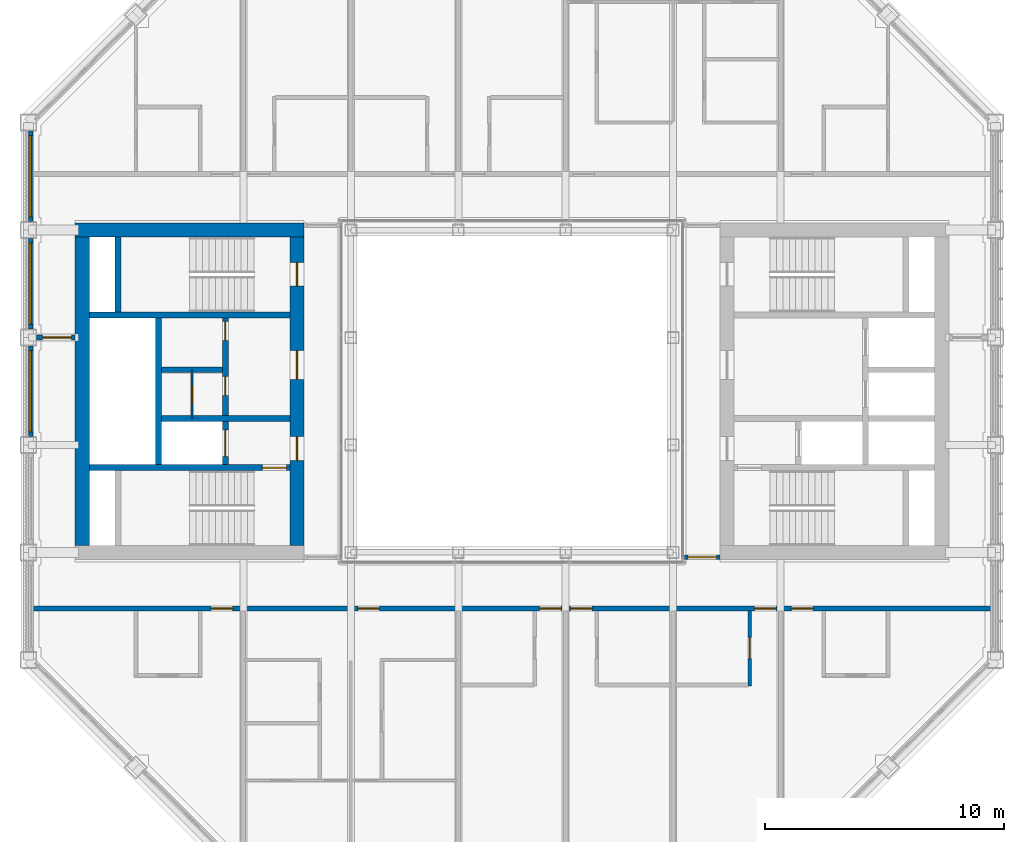
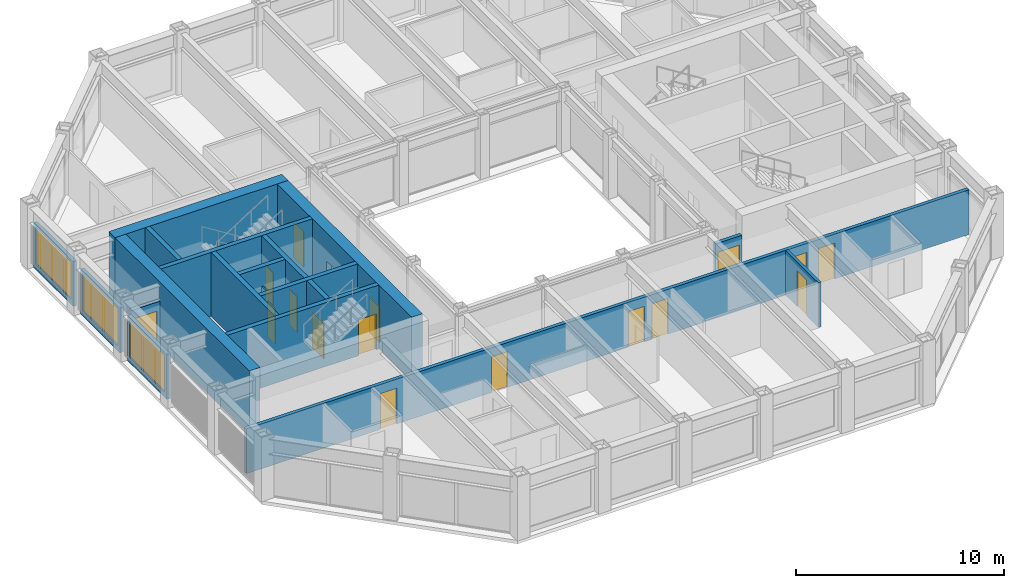
# One storey, part 10 of 18: 18 walls, 17 doors, 3 windows, 20 openings.
"""IFC4 building model written with IfcOpenShell, lengths in metres."""

from ifc_helpers import new_model, si_unit, direction, frame, frame_2d, origin, place, context, subcontext, project, spatial, rectangle, extrude, material, layer, layer_set, type_object, element, fill, save


model = new_model("IFC4")

# Units and contexts
model_context = context("Model", 3, precision=1e-05, world=origin(), true_north=direction((0.0, 1.0)))
body_context = subcontext(model_context, "Body", "Model", "MODEL_VIEW")
ifc_project = project(units=[si_unit("LENGTHUNIT", "METRE"), si_unit("AREAUNIT", "SQUARE_METRE"), si_unit("VOLUMEUNIT", "CUBIC_METRE"), si_unit("PLANEANGLEUNIT", "RADIAN"), si_unit("MASSUNIT", "GRAM", prefix="KILO")], contexts=[model_context])

# Site, building, storey
site_placement = place(None, origin())
site = spatial("IfcSite", under=ifc_project, at=site_placement, CompositionType="ELEMENT")
building_placement = place(site_placement, origin())
building = spatial("IfcBuilding", under=site, at=building_placement, Name="Msasa Ring Tower", CompositionType="ELEMENT")
storey_placement = place(building_placement, frame((0.0, 0.0, 230.800048828125)))
storey = spatial("IfcBuildingStorey", under=building, at=storey_placement, Name="L60", CompositionType="ELEMENT", Elevation=230.800048828125)

# Wall
ifc_material_1 = material(Name="Concrete C60/75", Category="concrete")
ifc_layer_1 = layer(ifc_material_1, 0.60009765625)
ifc_layer_set_1 = layer_set([ifc_layer_1], Name="CW3 CORE WALL 600")
wall_type_1 = type_object("IfcWallType", Name="CW3 CORE WALL 600", PredefinedType="SHEAR", material=ifc_layer_set_1)
wall_1_placement = place(storey_placement, frame((-8.699951171875, 6.75, 0.0), z_axis=(0.0, 0.0, 1.0), x_axis=(-1.0, 0.0, 0.0)))
element("IfcWall", 1, at=wall_1_placement, inside=storey, type_object=wall_type_1, Name="W core wall N L60", PredefinedType="SHEAR", context=body_context, shape_type="SweptSolid", body=[
    extrude(rectangle(XDim=9.60009765625, YDim=0.60009765625, at=frame_2d((4.800048828125, 0.0))), origin(), (0.0, 0.0, 1.0), 3.75),
])

# Wall, openings, doors
wall_2_placement = place(storey_placement, frame((-9.0, -6.449951171875, 0.0), z_axis=(0.0, 0.0, 1.0), x_axis=(0.0, 1.0, 0.0)))
wall_2 = element("IfcWall", 2, at=wall_2_placement, inside=storey, type_object=wall_type_1, Name="W core wall W L60", PredefinedType="SHEAR", context=body_context, shape_type="SweptSolid", body=[
    extrude(rectangle(XDim=12.89990234375, YDim=0.60009765625, at=frame_2d((6.449951171875, 0.0))), origin(), (0.0, 0.0, 1.0), 3.75),
])
opening_1_placement = place(wall_2_placement, frame((3.550048828125, 0.0, 0.0)))
opening_1 = element("IfcOpeningElement", 3, at=opening_1_placement, cuts=wall_2, Name="Opening SC-030", PredefinedType="OPENING", context=body_context, shape_type="SweptSolid", body=[
    extrude(rectangle(XDim=1.0, YDim=2.10009765625, at=frame_2d((0.5, 1.050048828125))), frame((0.0, 0.31005859375, 0.0), z_axis=(0.0, -1.0, 0.0), x_axis=(1.0, 0.0, 0.0)), (0.0, 0.0, 1.0), 0.6201171875),
])
opening_2_placement = place(wall_2_placement, frame((6.949951171875, 0.0, 0.0)))
opening_2 = element("IfcOpeningElement", 4, at=opening_2_placement, cuts=wall_2, Name="Opening SC-026", PredefinedType="OPENING", context=body_context, shape_type="SweptSolid", body=[
    extrude(rectangle(XDim=1.199951171875, YDim=2.10009765625, at=frame_2d((0.60009765625, 1.050048828125))), frame((0.0, 0.31005859375, 0.0), z_axis=(0.0, -1.0, 0.0), x_axis=(1.0, 0.0, 0.0)), (0.0, 0.0, 1.0), 0.6201171875),
])
opening_3_placement = place(wall_2_placement, frame((10.85009765625, 0.0, 0.0)))
opening_3 = element("IfcOpeningElement", 5, at=opening_3_placement, cuts=wall_2, Name="Opening SC-021", PredefinedType="OPENING", context=body_context, shape_type="SweptSolid", body=[
    extrude(rectangle(XDim=1.0, YDim=2.10009765625, at=frame_2d((0.5, 1.050048828125))), frame((0.0, 0.31005859375, 0.0), z_axis=(0.0, -1.0, 0.0), x_axis=(1.0, 0.0, 0.0)), (0.0, 0.0, 1.0), 0.6201171875),
])
ifc_material_2 = material(Name="Timber door leaf in a steel frame", Category="steel")
door_type_1 = type_object("IfcDoorType", Name="D26 WIDE SERVICE ROOM DOOR 1200x2100", OperationType="SINGLE_SWING_LEFT", PredefinedType="DOOR", material=ifc_material_2)
door_1_placement = place(opening_2_placement, origin())
door_1 = element("IfcDoor", 6, at=door_1_placement, inside=storey, type_object=door_type_1, Name="Door L60-WCR", OperationType="SINGLE_SWING_RIGHT", OverallHeight=2.10009765625, OverallWidth=1.199951171875, PredefinedType="DOOR", context=body_context, shape_type="SweptSolid", body=[
    extrude(rectangle(XDim=1.199951171875, YDim=2.10009765625, at=frame_2d((0.60009765625, 1.050048828125))), frame((0.0, 0.02490234375, 0.0), z_axis=(0.0, -1.0, 0.0), x_axis=(1.0, 0.0, 0.0)), (0.0, 0.0, 1.0), 0.050048828125),
])
fill(opening_2, door_1)
ifc_material_3 = material(Name="Timber door leaf in a steel frame", Category="steel")
door_type_2 = type_object("IfcDoorType", Name="D4 LOBBY DOOR 1000x2100", OperationType="SINGLE_SWING_LEFT", PredefinedType="DOOR", material=ifc_material_3)
door_2_placement = place(opening_1_placement, origin())
door_2 = element("IfcDoor", 7, at=door_2_placement, inside=storey, type_object=door_type_2, Name="Door L60-WFFL", OperationType="SINGLE_SWING_LEFT", OverallHeight=2.10009765625, OverallWidth=1.0, PredefinedType="DOOR", context=body_context, shape_type="SweptSolid", body=[
    extrude(rectangle(XDim=1.0, YDim=2.10009765625, at=frame_2d((0.5, 1.050048828125))), frame((0.0, 0.02490234375, 0.0), z_axis=(0.0, -1.0, 0.0), x_axis=(1.0, 0.0, 0.0)), (0.0, 0.0, 1.0), 0.050048828125),
])
fill(opening_1, door_2)
ifc_material_4 = material(Name="Timber door leaf in a steel frame", Category="steel")
door_type_3 = type_object("IfcDoorType", Name="D6 STAIR DOOR 1000x2100", OperationType="SINGLE_SWING_LEFT", PredefinedType="DOOR", material=ifc_material_4)
door_3_placement = place(opening_3_placement, origin())
door_3 = element("IfcDoor", 8, at=door_3_placement, inside=storey, type_object=door_type_3, Name="Door L60-WSTB", OperationType="SINGLE_SWING_RIGHT", OverallHeight=2.10009765625, OverallWidth=1.0, PredefinedType="DOOR", context=body_context, shape_type="SweptSolid", body=[
    extrude(rectangle(XDim=1.0, YDim=2.10009765625, at=frame_2d((0.5, 1.050048828125))), frame((0.0, 0.02490234375, 0.0), z_axis=(0.0, -1.0, 0.0), x_axis=(1.0, 0.0, 0.0)), (0.0, 0.0, 1.0), 0.050048828125),
])
fill(opening_3, door_3)

# Wall
wall_3_placement = place(storey_placement, frame((-18.0, -6.449951171875, 0.0), z_axis=(0.0, 0.0, 1.0), x_axis=(0.0, 1.0, 0.0)))
element("IfcWall", 9, at=wall_3_placement, inside=storey, type_object=wall_type_1, Name="W core wall E L60", PredefinedType="SHEAR", context=body_context, shape_type="SweptSolid", body=[
    extrude(rectangle(XDim=12.89990234375, YDim=0.60009765625, at=frame_2d((6.449951171875, 0.0))), origin(), (0.0, 0.0, 1.0), 3.75),
])

# Wall, opening, door
ifc_material_5 = material(Name="Concrete C60/75", Category="concrete")
ifc_layer_2 = layer(ifc_material_5, 0.25)
ifc_layer_set_2 = layer_set([ifc_layer_2], Name="CW4 CORE INNER WALL 250")
wall_type_2 = type_object("IfcWallType", Name="CW4 CORE INNER WALL 250", PredefinedType="SHEAR", material=ifc_layer_set_2)
wall_4_placement = place(storey_placement, frame((-9.300048828125, -3.199951171875, 0.0), z_axis=(0.0, 0.0, 1.0), x_axis=(-1.0, 0.0, 0.0)))
wall_4 = element("IfcWall", 10, at=wall_4_placement, inside=storey, type_object=wall_type_2, Name="W core wall STAIRA L60", PredefinedType="SHEAR", context=body_context, shape_type="SweptSolid", body=[
    extrude(rectangle(XDim=8.39990234375, YDim=0.25, at=frame_2d((4.199951171875, 0.0))), origin(), (0.0, 0.0, 1.0), 3.75),
])
opening_4_placement = place(wall_4_placement, frame((0.14990234375, 0.0, 0.0)))
opening_4 = element("IfcOpeningElement", 11, at=opening_4_placement, cuts=wall_4, Name="Opening SC-032", PredefinedType="OPENING", context=body_context, shape_type="SweptSolid", body=[
    extrude(rectangle(XDim=1.0, YDim=2.10009765625, at=frame_2d((0.5, 1.050048828125))), frame((0.0, 0.135009765625, 0.0), z_axis=(0.0, -1.0, 0.0), x_axis=(1.0, 0.0, 0.0)), (0.0, 0.0, 1.0), 0.27001953125),
])
door_4_placement = place(opening_4_placement, origin())
door_4 = element("IfcDoor", 12, at=door_4_placement, inside=storey, type_object=door_type_3, Name="Door L60-WSTA", OperationType="SINGLE_SWING_LEFT", OverallHeight=2.10009765625, OverallWidth=1.0, PredefinedType="DOOR", context=body_context, shape_type="SweptSolid", body=[
    extrude(rectangle(XDim=1.0, YDim=2.10009765625, at=frame_2d((0.5, 1.050048828125))), frame((0.0, 0.02490234375, 0.0), z_axis=(0.0, -1.0, 0.0), x_axis=(1.0, 0.0, 0.0)), (0.0, 0.0, 1.0), 0.050048828125),
])
fill(opening_4, door_4)

# Walls
wall_5_placement = place(storey_placement, frame((-9.300048828125, 3.199951171875, 0.0), z_axis=(0.0, 0.0, 1.0), x_axis=(-1.0, 0.0, 0.0)))
element("IfcWall", 13, at=wall_5_placement, inside=storey, type_object=wall_type_2, Name="W core wall STAIRB L60", PredefinedType="SHEAR", context=body_context, shape_type="SweptSolid", body=[
    extrude(rectangle(XDim=8.39990234375, YDim=0.25, at=frame_2d((4.199951171875, 0.0))), origin(), (0.0, 0.0, 1.0), 3.75),
])
wall_6_placement = place(storey_placement, frame((-16.5, 3.324951171875, 0.0), z_axis=(0.0, 0.0, 1.0), x_axis=(0.0, 1.0, 0.0)))
element("IfcWall", 14, at=wall_6_placement, inside=storey, type_object=wall_type_2, Name="W core wall RISERB L60", PredefinedType="SHEAR", context=body_context, shape_type="SweptSolid", body=[
    extrude(rectangle(XDim=3.125, YDim=0.25, at=frame_2d((1.5625, 0.0))), origin(), (0.0, 0.0, 1.0), 3.75),
])
wall_7_placement = place(storey_placement, frame((-9.300048828125, -1.14990234375, 0.0), z_axis=(0.0, 0.0, 1.0), x_axis=(-1.0, 0.0, 0.0)))
element("IfcWall", 15, at=wall_7_placement, inside=storey, type_object=wall_type_2, Name="W core wall FFL L60", PredefinedType="SHEAR", context=body_context, shape_type="SweptSolid", body=[
    extrude(rectangle(XDim=5.375, YDim=0.25, at=frame_2d((2.6875, 0.0))), origin(), (0.0, 0.0, 1.0), 3.75),
])

# Wall, openings, doors
wall_8_placement = place(storey_placement, frame((-12.0, -3.074951171875, 0.0), z_axis=(0.0, 0.0, 1.0), x_axis=(0.0, 1.0, 0.0)))
wall_8 = element("IfcWall", 16, at=wall_8_placement, inside=storey, type_object=wall_type_2, Name="W core wall LOBBY L60", PredefinedType="SHEAR", context=body_context, shape_type="SweptSolid", body=[
    extrude(rectangle(XDim=6.14990234375, YDim=0.25, at=frame_2d((3.074951171875, 0.0))), origin(), (0.0, 0.0, 1.0), 3.75),
])
opening_5_placement = place(wall_8_placement, frame((2.89990234375, 0.0, 0.0)))
opening_5 = element("IfcOpeningElement", 17, at=opening_5_placement, cuts=wall_8, Name="Opening SC-028", PredefinedType="OPENING", context=body_context, shape_type="SweptSolid", body=[
    extrude(rectangle(XDim=0.800048828125, YDim=2.10009765625, at=frame_2d((0.39990234375, 1.050048828125))), frame((0.0, 0.135009765625, 0.0), z_axis=(0.0, -1.0, 0.0), x_axis=(1.0, 0.0, 0.0)), (0.0, 0.0, 1.0), 0.27001953125),
])
opening_6_placement = place(wall_8_placement, frame((5.199951171875, 0.0, 0.0)))
opening_6 = element("IfcOpeningElement", 18, at=opening_6_placement, cuts=wall_8, Name="Opening SC-023", PredefinedType="OPENING", context=body_context, shape_type="SweptSolid", body=[
    extrude(rectangle(XDim=0.800048828125, YDim=2.10009765625, at=frame_2d((0.39990234375, 1.050048828125))), frame((0.0, 0.135009765625, 0.0), z_axis=(0.0, -1.0, 0.0), x_axis=(1.0, 0.0, 0.0)), (0.0, 0.0, 1.0), 0.27001953125),
])
opening_7_placement = place(wall_8_placement, frame((0.35009765625, 0.0, 0.0)))
opening_7 = element("IfcOpeningElement", 19, at=opening_7_placement, cuts=wall_8, Name="Opening LD1", PredefinedType="OPENING", context=body_context, shape_type="SweptSolid", body=[
    extrude(rectangle(XDim=1.10009765625, YDim=2.10009765625, at=frame_2d((0.550048828125, 1.050048828125))), frame((0.0, 0.135009765625, 0.0), z_axis=(0.0, -1.0, 0.0), x_axis=(1.0, 0.0, 0.0)), (0.0, 0.0, 1.0), 0.27001953125),
])
ifc_material_6 = material(Name="Timber door leaf in a steel frame", Category="steel")
door_type_4 = type_object("IfcDoorType", Name="D9 NARROW SERVICE DOOR 800x2100", OperationType="SINGLE_SWING_LEFT", PredefinedType="DOOR", material=ifc_material_6)
door_5_placement = place(opening_5_placement, origin())
door_5 = element("IfcDoor", 20, at=door_5_placement, inside=storey, type_object=door_type_4, Name="Door L60-WR1", OperationType="SINGLE_SWING_RIGHT", OverallHeight=2.10009765625, OverallWidth=0.800048828125, PredefinedType="DOOR", context=body_context, shape_type="SweptSolid", body=[
    extrude(rectangle(XDim=0.800048828125, YDim=2.10009765625, at=frame_2d((0.39990234375, 1.050048828125))), frame((0.0, 0.02490234375, 0.0), z_axis=(0.0, -1.0, 0.0), x_axis=(1.0, 0.0, 0.0)), (0.0, 0.0, 1.0), 0.050048828125),
])
fill(opening_5, door_5)
door_6_placement = place(opening_6_placement, origin())
door_6 = element("IfcDoor", 21, at=door_6_placement, inside=storey, type_object=door_type_4, Name="Door L60-WR2", OperationType="SINGLE_SWING_RIGHT", OverallHeight=2.10009765625, OverallWidth=0.800048828125, PredefinedType="DOOR", context=body_context, shape_type="SweptSolid", body=[
    extrude(rectangle(XDim=0.800048828125, YDim=2.10009765625, at=frame_2d((0.39990234375, 1.050048828125))), frame((0.0, 0.02490234375, 0.0), z_axis=(0.0, -1.0, 0.0), x_axis=(1.0, 0.0, 0.0)), (0.0, 0.0, 1.0), 0.050048828125),
])
fill(opening_6, door_6)
ifc_material_7 = material(Name="Stainless steel lift landing door", Category="steel")
door_type_5 = type_object("IfcDoorType", Name="LD1 LIFT LANDING DOOR 1100x2100", OperationType="DOUBLE_DOOR_SLIDING", PredefinedType="DOOR", material=ifc_material_7)
door_7_placement = place(opening_7_placement, origin())
door_7 = element("IfcDoor", 22, at=door_7_placement, inside=storey, type_object=door_type_5, Name="Lift landing door FL-W L60", OperationType="DOUBLE_DOOR_SLIDING", OverallHeight=2.10009765625, OverallWidth=1.10009765625, PredefinedType="DOOR", context=body_context, shape_type="SweptSolid", body=[
    extrude(rectangle(XDim=1.10009765625, YDim=2.10009765625, at=frame_2d((0.550048828125, 1.050048828125))), frame((0.0, 0.02490234375, 0.0), z_axis=(0.0, -1.0, 0.0), x_axis=(1.0, 0.0, 0.0)), (0.0, 0.0, 1.0), 0.050048828125),
])
fill(opening_7, door_7)

# Walls
wall_9_placement = place(storey_placement, frame((-14.800048828125, -3.074951171875, 0.0), z_axis=(0.0, 0.0, 1.0), x_axis=(0.0, 1.0, 0.0)))
element("IfcWall", 23, at=wall_9_placement, inside=storey, type_object=wall_type_2, Name="W core wall SHAFT L60", PredefinedType="SHEAR", context=body_context, shape_type="SweptSolid", body=[
    extrude(rectangle(XDim=6.14990234375, YDim=0.25, at=frame_2d((3.074951171875, 0.0))), origin(), (0.0, 0.0, 1.0), 3.75),
])
wall_10_placement = place(storey_placement, frame((-12.125, 0.89990234375, 0.0), z_axis=(0.0, 0.0, 1.0), x_axis=(-1.0, 0.0, 0.0)))
element("IfcWall", 24, at=wall_10_placement, inside=storey, type_object=wall_type_2, Name="W core wall LIFT1 L60", PredefinedType="SHEAR", context=body_context, shape_type="SweptSolid", body=[
    extrude(rectangle(XDim=2.550048828125, YDim=0.25, at=frame_2d((1.27490234375, 0.0))), origin(), (0.0, 0.0, 1.0), 3.75),
])

# Wall, opening, window
ifc_material_8 = material(Name="Terracotta rainscreen on blockwork", Category="masonry")
ifc_layer_3 = layer(ifc_material_8, 0.199951171875)
ifc_layer_set_3 = layer_set([ifc_layer_3], Name="FW1 TERRACOTTA-LINED INFILL BAY WALL 200")
wall_type_3 = type_object("IfcWallType", Name="FW1 TERRACOTTA-LINED INFILL BAY WALL 200", PredefinedType="SOLIDWALL", material=ifc_layer_set_3)
wall_11_placement = place(storey_placement, frame((-20.14990234375, -1.89501953125, 0.0), z_axis=(0.0, 0.0, 1.0), x_axis=(0.0, 1.0, 0.0)))
wall_11 = element("IfcWall", 25, at=wall_11_placement, inside=storey, type_object=wall_type_3, Name="Infill bay wall W L60 23", PredefinedType="SOLIDWALL", context=body_context, shape_type="SweptSolid", body=[
    extrude(rectangle(XDim=3.7900390625, YDim=0.199951171875, at=frame_2d((1.89501953125, 0.0))), origin(), (0.0, 0.0, 1.0), 2.62890625),
])
opening_8_placement = place(wall_11_placement, frame((0.195068359375, 0.0, 0.300048828125)))
opening_8 = element("IfcOpeningElement", 26, at=opening_8_placement, cuts=wall_11, Name="Opening WN3", PredefinedType="OPENING", context=body_context, shape_type="SweptSolid", body=[
    extrude(rectangle(XDim=3.39990234375, YDim=2.178955078125, at=frame_2d((1.699951171875, 1.08935546875))), frame((0.0, 0.10986328125, 0.0), z_axis=(0.0, -1.0, 0.0), x_axis=(1.0, 0.0, 0.0)), (0.0, 0.0, 1.0), 0.219970703125),
])
ifc_material_9 = material(Name="Aluminium frame with clear glass", Category="aluminium")
window_type = type_object("IfcWindowType", Name="WN3 SUITE WINDOW 3400x2179", PartitioningType="SINGLE_PANEL", PredefinedType="WINDOW", material=ifc_material_9)
window_1_placement = place(opening_8_placement, origin())
window_1 = element("IfcWindow", 27, at=window_1_placement, inside=storey, type_object=window_type, Name="Window W L60 23", OverallHeight=2.178955078125, OverallWidth=3.39990234375, PartitioningType="SINGLE_PANEL", PredefinedType="WINDOW", context=body_context, shape_type="SweptSolid", body=[
    extrude(rectangle(XDim=3.39990234375, YDim=2.178955078125, at=frame_2d((1.699951171875, 1.08935546875))), frame((0.0, 0.030029296875, 0.0), z_axis=(0.0, -1.0, 0.0), x_axis=(1.0, 0.0, 0.0)), (0.0, 0.0, 1.0), 0.06005859375),
])
fill(opening_8, window_1)

wall_12_placement = place(storey_placement, frame((-20.14990234375, 2.60498046875, 0.0), z_axis=(0.0, 0.0, 1.0), x_axis=(0.0, 1.0, 0.0)))
wall_12 = element("IfcWall", 28, at=wall_12_placement, inside=storey, type_object=wall_type_3, Name="Infill bay wall W L60 24", PredefinedType="SOLIDWALL", context=body_context, shape_type="SweptSolid", body=[
    extrude(rectangle(XDim=3.7900390625, YDim=0.199951171875, at=frame_2d((1.89501953125, 0.0))), origin(), (0.0, 0.0, 1.0), 2.62890625),
])
opening_9_placement = place(wall_12_placement, frame((0.195068359375, 0.0, 0.300048828125)))
opening_9 = element("IfcOpeningElement", 29, at=opening_9_placement, cuts=wall_12, Name="Opening WN3", PredefinedType="OPENING", context=body_context, shape_type="SweptSolid", body=[
    extrude(rectangle(XDim=3.39990234375, YDim=2.178955078125, at=frame_2d((1.699951171875, 1.08935546875))), frame((0.0, 0.10986328125, 0.0), z_axis=(0.0, -1.0, 0.0), x_axis=(1.0, 0.0, 0.0)), (0.0, 0.0, 1.0), 0.219970703125),
])
window_2_placement = place(opening_9_placement, origin())
window_2 = element("IfcWindow", 30, at=window_2_placement, inside=storey, type_object=window_type, Name="Window W L60 24", OverallHeight=2.178955078125, OverallWidth=3.39990234375, PartitioningType="SINGLE_PANEL", PredefinedType="WINDOW", context=body_context, shape_type="SweptSolid", body=[
    extrude(rectangle(XDim=3.39990234375, YDim=2.178955078125, at=frame_2d((1.699951171875, 1.08935546875))), frame((0.0, 0.030029296875, 0.0), z_axis=(0.0, -1.0, 0.0), x_axis=(1.0, 0.0, 0.0)), (0.0, 0.0, 1.0), 0.06005859375),
])
fill(opening_9, window_2)

wall_13_placement = place(storey_placement, frame((-20.14990234375, 7.10498046875, 0.0), z_axis=(0.0, 0.0, 1.0), x_axis=(0.0, 1.0, 0.0)))
wall_13 = element("IfcWall", 31, at=wall_13_placement, inside=storey, type_object=wall_type_3, Name="Infill bay wall W L60 25", PredefinedType="SOLIDWALL", context=body_context, shape_type="SweptSolid", body=[
    extrude(rectangle(XDim=3.7900390625, YDim=0.199951171875, at=frame_2d((1.89501953125, 0.0))), origin(), (0.0, 0.0, 1.0), 2.62890625),
])
opening_10_placement = place(wall_13_placement, frame((0.195068359375, 0.0, 0.300048828125)))
opening_10 = element("IfcOpeningElement", 32, at=opening_10_placement, cuts=wall_13, Name="Opening WN3", PredefinedType="OPENING", context=body_context, shape_type="SweptSolid", body=[
    extrude(rectangle(XDim=3.39990234375, YDim=2.178955078125, at=frame_2d((1.699951171875, 1.08935546875))), frame((0.0, 0.10986328125, 0.0), z_axis=(0.0, -1.0, 0.0), x_axis=(1.0, 0.0, 0.0)), (0.0, 0.0, 1.0), 0.219970703125),
])
window_3_placement = place(opening_10_placement, origin())
window_3 = element("IfcWindow", 33, at=window_3_placement, inside=storey, type_object=window_type, Name="Window W L60 25", OverallHeight=2.178955078125, OverallWidth=3.39990234375, PartitioningType="SINGLE_PANEL", PredefinedType="WINDOW", context=body_context, shape_type="SweptSolid", body=[
    extrude(rectangle(XDim=3.39990234375, YDim=2.178955078125, at=frame_2d((1.699951171875, 1.08935546875))), frame((0.0, 0.030029296875, 0.0), z_axis=(0.0, -1.0, 0.0), x_axis=(1.0, 0.0, 0.0)), (0.0, 0.0, 1.0), 0.06005859375),
])
fill(opening_10, window_3)

# Wall, opening, door
ifc_material_10 = material(Name="Concrete blockwork", Category="masonry")
ifc_layer_4 = layer(ifc_material_10, 0.199951171875)
ifc_layer_set_4 = layer_set([ifc_layer_4], Name="PT1 CORRIDOR WALL 200")
wall_type_4 = type_object("IfcWallType", Name="PT1 CORRIDOR WALL 200", PredefinedType="PARTITIONING", material=ifc_layer_set_4)
wall_14_placement = place(storey_placement, frame((-19.89990234375, 2.25, 0.0), z_axis=(0.0, 0.0, 1.0), x_axis=(1.0, 0.0, 0.0)))
wall_14 = element("IfcWall", 34, at=wall_14_placement, inside=storey, type_object=wall_type_4, Name="Corridor wall L60-WSW", PredefinedType="PARTITIONING", context=body_context, shape_type="SweptSolid", body=[
    extrude(rectangle(XDim=1.599853515625, YDim=0.199951171875, at=frame_2d((0.7998046875, 0.0))), origin(), (0.0, 0.0, 1.0), 2.62890625),
])
opening_11_placement = place(wall_14_placement, frame((0.25, 0.0, 0.0)))
opening_11 = element("IfcOpeningElement", 35, at=opening_11_placement, cuts=wall_14, Name="Opening SC-024", PredefinedType="OPENING", context=body_context, shape_type="SweptSolid", body=[
    extrude(rectangle(XDim=1.199951171875, YDim=2.10009765625, at=frame_2d((0.60009765625, 1.050048828125))), frame((0.0, 0.10986328125, 0.0), z_axis=(0.0, -1.0, 0.0), x_axis=(1.0, 0.0, 0.0)), (0.0, 0.0, 1.0), 0.219970703125),
])
ifc_material_11 = material(Name="Timber door leaf in a steel frame", Category="steel")
door_type_6 = type_object("IfcDoorType", Name="D25 CORRIDOR PAIR OF SMOKE DOORS 1200x2100", OperationType="DOUBLE_DOOR_DOUBLE_SWING", PredefinedType="DOOR", material=ifc_material_11)
door_8_placement = place(opening_11_placement, origin())
door_8 = element("IfcDoor", 36, at=door_8_placement, inside=storey, type_object=door_type_6, Name="Door L60-WSW", OperationType="DOUBLE_DOOR_DOUBLE_SWING", OverallHeight=2.10009765625, OverallWidth=1.199951171875, PredefinedType="DOOR", context=body_context, shape_type="SweptSolid", body=[
    extrude(rectangle(XDim=1.199951171875, YDim=2.10009765625, at=frame_2d((0.60009765625, 1.050048828125))), frame((0.0, 0.02490234375, 0.0), z_axis=(0.0, -1.0, 0.0), x_axis=(1.0, 0.0, 0.0)), (0.0, 0.0, 1.0), 0.050048828125),
])
fill(opening_11, door_8)

wall_15_placement = place(storey_placement, frame((7.22998046875, -6.949951171875, 0.0), z_axis=(0.0, 0.0, 1.0), x_axis=(1.0, 0.0, 0.0)))
wall_15 = element("IfcWall", 37, at=wall_15_placement, inside=storey, type_object=wall_type_4, Name="Corridor wall L60-SDES", PredefinedType="PARTITIONING", context=body_context, shape_type="SweptSolid", body=[
    extrude(rectangle(XDim=1.469970703125, YDim=0.199951171875, at=frame_2d((0.73486328125, 0.0))), origin(), (0.0, 0.0, 1.0), 2.62890625),
])
opening_12_placement = place(wall_15_placement, frame((0.135009765625, 0.0, 0.0)))
opening_12 = element("IfcOpeningElement", 38, at=opening_12_placement, cuts=wall_15, Name="Opening SC-035", PredefinedType="OPENING", context=body_context, shape_type="SweptSolid", body=[
    extrude(rectangle(XDim=1.199951171875, YDim=2.10009765625, at=frame_2d((0.60009765625, 1.050048828125))), frame((0.0, 0.10986328125, 0.0), z_axis=(0.0, -1.0, 0.0), x_axis=(1.0, 0.0, 0.0)), (0.0, 0.0, 1.0), 0.219970703125),
])
door_9_placement = place(opening_12_placement, origin())
door_9 = element("IfcDoor", 39, at=door_9_placement, inside=storey, type_object=door_type_6, Name="Door L60-SDES", OperationType="DOUBLE_DOOR_DOUBLE_SWING", OverallHeight=2.10009765625, OverallWidth=1.199951171875, PredefinedType="DOOR", context=body_context, shape_type="SweptSolid", body=[
    extrude(rectangle(XDim=1.199951171875, YDim=2.10009765625, at=frame_2d((0.60009765625, 1.050048828125))), frame((0.0, 0.02490234375, 0.0), z_axis=(0.0, -1.0, 0.0), x_axis=(1.0, 0.0, 0.0)), (0.0, 0.0, 1.0), 0.050048828125),
])
fill(opening_12, door_9)

# Wall, openings, doors
wall_16_placement = place(storey_placement, frame((-20.050048828125, -9.10009765625, 0.0), z_axis=(0.0, 0.0, 1.0), x_axis=(1.0, 0.0, 0.0)))
wall_16 = element("IfcWall", 40, at=wall_16_placement, inside=storey, type_object=wall_type_4, Name="Corridor wall L60-CORRS0", PredefinedType="PARTITIONING", context=body_context, shape_type="SweptSolid", body=[
    extrude(rectangle(XDim=40.10009765625, YDim=0.199951171875, at=frame_2d((20.050048828125, 0.0))), origin(), (0.0, 0.0, 1.0), 2.62890625),
])
opening_13_placement = place(wall_16_placement, frame((13.60009765625, 0.0, 0.0)))
opening_13 = element("IfcOpeningElement", 41, at=opening_13_placement, cuts=wall_16, Name="Opening SC-037", PredefinedType="OPENING", context=body_context, shape_type="SweptSolid", body=[
    extrude(rectangle(XDim=0.89990234375, YDim=2.10009765625, at=frame_2d((0.449951171875, 1.050048828125))), frame((0.0, 0.10986328125, 0.0), z_axis=(0.0, -1.0, 0.0), x_axis=(1.0, 0.0, 0.0)), (0.0, 0.0, 1.0), 0.219970703125),
])
opening_14_placement = place(wall_16_placement, frame((21.199951171875, 0.0, 0.0)))
opening_14 = element("IfcOpeningElement", 42, at=opening_14_placement, cuts=wall_16, Name="Opening SC-038", PredefinedType="OPENING", context=body_context, shape_type="SweptSolid", body=[
    extrude(rectangle(XDim=0.89990234375, YDim=2.10009765625, at=frame_2d((0.449951171875, 1.050048828125))), frame((0.0, 0.10986328125, 0.0), z_axis=(0.0, -1.0, 0.0), x_axis=(1.0, 0.0, 0.0)), (0.0, 0.0, 1.0), 0.219970703125),
])
opening_15_placement = place(wall_16_placement, frame((22.5, 0.0, 0.0)))
opening_15 = element("IfcOpeningElement", 43, at=opening_15_placement, cuts=wall_16, Name="Opening SC-039", PredefinedType="OPENING", context=body_context, shape_type="SweptSolid", body=[
    extrude(rectangle(XDim=0.89990234375, YDim=2.10009765625, at=frame_2d((0.449951171875, 1.050048828125))), frame((0.0, 0.10986328125, 0.0), z_axis=(0.0, -1.0, 0.0), x_axis=(1.0, 0.0, 0.0)), (0.0, 0.0, 1.0), 0.219970703125),
])
opening_16_placement = place(wall_16_placement, frame((30.199951171875, 0.0, 0.0)))
opening_16 = element("IfcOpeningElement", 44, at=opening_16_placement, cuts=wall_16, Name="Opening SC-040", PredefinedType="OPENING", context=body_context, shape_type="SweptSolid", body=[
    extrude(rectangle(XDim=0.89990234375, YDim=2.10009765625, at=frame_2d((0.449951171875, 1.050048828125))), frame((0.0, 0.10986328125, 0.0), z_axis=(0.0, -1.0, 0.0), x_axis=(1.0, 0.0, 0.0)), (0.0, 0.0, 1.0), 0.219970703125),
])
opening_17_placement = place(wall_16_placement, frame((31.75, 0.0, 0.0)))
opening_17 = element("IfcOpeningElement", 45, at=opening_17_placement, cuts=wall_16, Name="Opening SC-041", PredefinedType="OPENING", context=body_context, shape_type="SweptSolid", body=[
    extrude(rectangle(XDim=0.89990234375, YDim=2.10009765625, at=frame_2d((0.449951171875, 1.050048828125))), frame((0.0, 0.10986328125, 0.0), z_axis=(0.0, -1.0, 0.0), x_axis=(1.0, 0.0, 0.0)), (0.0, 0.0, 1.0), 0.219970703125),
])
opening_18_placement = place(wall_16_placement, frame((7.449951171875, 0.0, 0.0)))
opening_18 = element("IfcOpeningElement", 46, at=opening_18_placement, cuts=wall_16, Name="Opening SC-036", PredefinedType="OPENING", context=body_context, shape_type="SweptSolid", body=[
    extrude(rectangle(XDim=0.89990234375, YDim=2.10009765625, at=frame_2d((0.449951171875, 1.050048828125))), frame((0.0, 0.10986328125, 0.0), z_axis=(0.0, -1.0, 0.0), x_axis=(1.0, 0.0, 0.0)), (0.0, 0.0, 1.0), 0.219970703125),
])
ifc_material_12 = material(Name="Timber door leaf in a steel frame", Category="steel")
door_type_7 = type_object("IfcDoorType", Name="D1 SINGLE DOOR TO CORRIDOR 900x2100", OperationType="SINGLE_SWING_LEFT", PredefinedType="DOOR", material=ifc_material_12)
door_10_placement = place(opening_14_placement, origin())
door_10 = element("IfcDoor", 47, at=door_10_placement, inside=storey, type_object=door_type_7, Name="Door L60-JS01", OperationType="SINGLE_SWING_RIGHT", OverallHeight=2.10009765625, OverallWidth=0.89990234375, PredefinedType="DOOR", context=body_context, shape_type="SweptSolid", body=[
    extrude(rectangle(XDim=0.89990234375, YDim=2.10009765625, at=frame_2d((0.449951171875, 1.050048828125))), frame((0.0, 0.02490234375, 0.0), z_axis=(0.0, -1.0, 0.0), x_axis=(1.0, 0.0, 0.0)), (0.0, 0.0, 1.0), 0.050048828125),
])
fill(opening_14, door_10)
door_11_placement = place(opening_15_placement, origin())
door_11 = element("IfcDoor", 48, at=door_11_placement, inside=storey, type_object=door_type_7, Name="Door L60-JS02", OperationType="SINGLE_SWING_RIGHT", OverallHeight=2.10009765625, OverallWidth=0.89990234375, PredefinedType="DOOR", context=body_context, shape_type="SweptSolid", body=[
    extrude(rectangle(XDim=0.89990234375, YDim=2.10009765625, at=frame_2d((0.449951171875, 1.050048828125))), frame((0.0, 0.02490234375, 0.0), z_axis=(0.0, -1.0, 0.0), x_axis=(1.0, 0.0, 0.0)), (0.0, 0.0, 1.0), 0.050048828125),
])
fill(opening_15, door_11)
door_12_placement = place(opening_16_placement, origin())
door_12 = element("IfcDoor", 49, at=door_12_placement, inside=storey, type_object=door_type_7, Name="Door L60-JS03", OperationType="SINGLE_SWING_RIGHT", OverallHeight=2.10009765625, OverallWidth=0.89990234375, PredefinedType="DOOR", context=body_context, shape_type="SweptSolid", body=[
    extrude(rectangle(XDim=0.89990234375, YDim=2.10009765625, at=frame_2d((0.449951171875, 1.050048828125))), frame((0.0, 0.02490234375, 0.0), z_axis=(0.0, -1.0, 0.0), x_axis=(1.0, 0.0, 0.0)), (0.0, 0.0, 1.0), 0.050048828125),
])
fill(opening_16, door_12)
ifc_material_13 = material(Name="Timber door leaf in a steel frame", Category="steel")
door_type_8 = type_object("IfcDoorType", Name="D2 ENTRANCE DOOR 900x2100", OperationType="SINGLE_SWING_LEFT", PredefinedType="DOOR", material=ifc_material_13)
door_13_placement = place(opening_13_placement, origin())
door_13 = element("IfcDoor", 50, at=door_13_placement, inside=storey, type_object=door_type_8, Name="Door L60-JS00", OperationType="SINGLE_SWING_LEFT", OverallHeight=2.10009765625, OverallWidth=0.89990234375, PredefinedType="DOOR", context=body_context, shape_type="SweptSolid", body=[
    extrude(rectangle(XDim=0.89990234375, YDim=2.10009765625, at=frame_2d((0.449951171875, 1.050048828125))), frame((0.0, 0.02490234375, 0.0), z_axis=(0.0, -1.0, 0.0), x_axis=(1.0, 0.0, 0.0)), (0.0, 0.0, 1.0), 0.050048828125),
])
fill(opening_13, door_13)
door_14_placement = place(opening_17_placement, origin())
door_14 = element("IfcDoor", 51, at=door_14_placement, inside=storey, type_object=door_type_8, Name="Door L60-CSSE", OperationType="SINGLE_SWING_RIGHT", OverallHeight=2.10009765625, OverallWidth=0.89990234375, PredefinedType="DOOR", context=body_context, shape_type="SweptSolid", body=[
    extrude(rectangle(XDim=0.89990234375, YDim=2.10009765625, at=frame_2d((0.449951171875, 1.050048828125))), frame((0.0, 0.02490234375, 0.0), z_axis=(0.0, -1.0, 0.0), x_axis=(1.0, 0.0, 0.0)), (0.0, 0.0, 1.0), 0.050048828125),
])
fill(opening_17, door_14)
door_15_placement = place(opening_18_placement, origin())
door_15 = element("IfcDoor", 52, at=door_15_placement, inside=storey, type_object=door_type_8, Name="Door L60-CSSW", OperationType="SINGLE_SWING_LEFT", OverallHeight=2.10009765625, OverallWidth=0.89990234375, PredefinedType="DOOR", context=body_context, shape_type="SweptSolid", body=[
    extrude(rectangle(XDim=0.89990234375, YDim=2.10009765625, at=frame_2d((0.449951171875, 1.050048828125))), frame((0.0, 0.02490234375, 0.0), z_axis=(0.0, -1.0, 0.0), x_axis=(1.0, 0.0, 0.0)), (0.0, 0.0, 1.0), 0.050048828125),
])
fill(opening_18, door_15)

# Wall, opening, door
ifc_material_14 = material(Name="Gypsum board on steel studs", Category="steel")
ifc_layer_5 = layer(ifc_material_14, 0.10009765625)
ifc_layer_set_5 = layer_set([ifc_layer_5], Name="PT2 STUD PARTITION 100")
wall_type_5 = type_object("IfcWallType", Name="PT2 STUD PARTITION 100", PredefinedType="PARTITIONING", material=ifc_layer_set_5)
wall_17_placement = place(storey_placement, frame((-13.39990234375, -1.14990234375, 0.0), z_axis=(0.0, 0.0, 1.0), x_axis=(0.0, 1.0, 0.0)))
wall_17 = element("IfcWall", 53, at=wall_17_placement, inside=storey, type_object=wall_type_5, Name="Partition L60-WRP1", PredefinedType="PARTITIONING", context=body_context, shape_type="SweptSolid", body=[
    extrude(rectangle(XDim=2.0498046875, YDim=0.10009765625, at=frame_2d((1.02490234375, 0.0))), origin(), (0.0, 0.0, 1.0), 2.62890625),
])
opening_19_placement = place(wall_17_placement, frame((0.675048828125, 0.0, 0.0)))
opening_19 = element("IfcOpeningElement", 54, at=opening_19_placement, cuts=wall_17, Name="Opening SC-029", PredefinedType="OPENING", context=body_context, shape_type="SweptSolid", body=[
    extrude(rectangle(XDim=0.699951171875, YDim=2.10009765625, at=frame_2d((0.35009765625, 1.050048828125))), frame((0.0, 0.06005859375, 0.0), z_axis=(0.0, -1.0, 0.0), x_axis=(1.0, 0.0, 0.0)), (0.0, 0.0, 1.0), 0.1201171875),
])
ifc_material_15 = material(Name="Timber door leaf in a steel frame", Category="steel")
door_type_9 = type_object("IfcDoorType", Name="D32 INTERNAL NARROW STORE DOOR 700x2100", OperationType="SINGLE_SWING_LEFT", PredefinedType="DOOR", material=ifc_material_15)
door_16_placement = place(opening_19_placement, origin())
door_16 = element("IfcDoor", 55, at=door_16_placement, inside=storey, type_object=door_type_9, Name="Door L60-WRC1", OperationType="SINGLE_SWING_LEFT", OverallHeight=2.10009765625, OverallWidth=0.699951171875, PredefinedType="DOOR", context=body_context, shape_type="SweptSolid", body=[
    extrude(rectangle(XDim=0.699951171875, YDim=2.10009765625, at=frame_2d((0.35009765625, 1.050048828125))), frame((0.0, 0.02490234375, 0.0), z_axis=(0.0, -1.0, 0.0), x_axis=(1.0, 0.0, 0.0)), (0.0, 0.0, 1.0), 0.050048828125),
])
fill(opening_19, door_16)

ifc_material_16 = material(Name="Moisture-resistant board on steel studs with a concealed cistern and pipe void, tiled", Category="steel")
ifc_layer_6 = layer(ifc_material_16, 0.14990234375)
ifc_layer_set_6 = layer_set([ifc_layer_6], Name="PT4 BATHROOM WET WALL 150")
wall_type_6 = type_object("IfcWallType", Name="PT4 BATHROOM WET WALL 150", PredefinedType="PARTITIONING", material=ifc_layer_set_6)
wall_18_placement = place(storey_placement, frame((9.949951171875, -12.35009765625, 0.0), z_axis=(0.0, 0.0, 1.0), x_axis=(0.0, 1.0, 0.0)))
wall_18 = element("IfcWall", 56, at=wall_18_placement, inside=storey, type_object=wall_type_6, Name="Partition L60-JS03BX", PredefinedType="PARTITIONING", context=body_context, shape_type="SweptSolid", body=[
    extrude(rectangle(XDim=3.150146484375, YDim=0.14990234375, at=frame_2d((1.5751953125, 0.0))), origin(), (0.0, 0.0, 1.0), 2.62890625),
])
opening_20_placement = place(wall_18_placement, frame((1.14990234375, 0.0, 0.0)))
opening_20 = element("IfcOpeningElement", 57, at=opening_20_placement, cuts=wall_18, Name="Opening SC-044", PredefinedType="OPENING", context=body_context, shape_type="SweptSolid", body=[
    extrude(rectangle(XDim=0.89990234375, YDim=2.10009765625, at=frame_2d((0.449951171875, 1.050048828125))), frame((0.0, 0.0849609375, 0.0), z_axis=(0.0, -1.0, 0.0), x_axis=(1.0, 0.0, 0.0)), (0.0, 0.0, 1.0), 0.169921875),
])
ifc_material_17 = material(Name="Timber door leaf in a steel frame", Category="steel")
door_type_10 = type_object("IfcDoorType", Name="D3 BATHROOM DOOR 900x2100", OperationType="SINGLE_SWING_LEFT", PredefinedType="DOOR", material=ifc_material_17)
door_17_placement = place(opening_20_placement, origin())
door_17 = element("IfcDoor", 58, at=door_17_placement, inside=storey, type_object=door_type_10, Name="Door L60-JS03B", OperationType="SINGLE_SWING_LEFT", OverallHeight=2.10009765625, OverallWidth=0.89990234375, PredefinedType="DOOR", context=body_context, shape_type="SweptSolid", body=[
    extrude(rectangle(XDim=0.89990234375, YDim=2.10009765625, at=frame_2d((0.449951171875, 1.050048828125))), frame((0.0, 0.02490234375, 0.0), z_axis=(0.0, -1.0, 0.0), x_axis=(1.0, 0.0, 0.0)), (0.0, 0.0, 1.0), 0.050048828125),
])
fill(opening_20, door_17)

save(model, "model.ifc")
